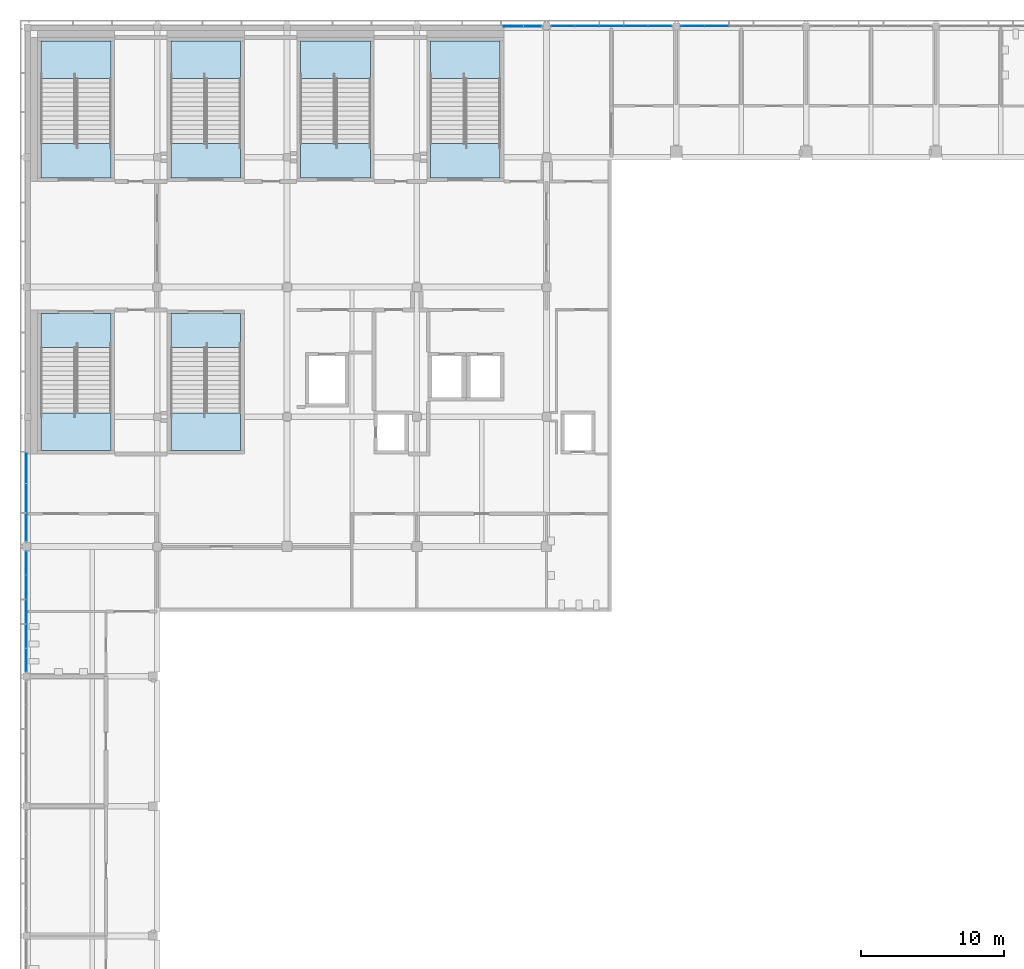
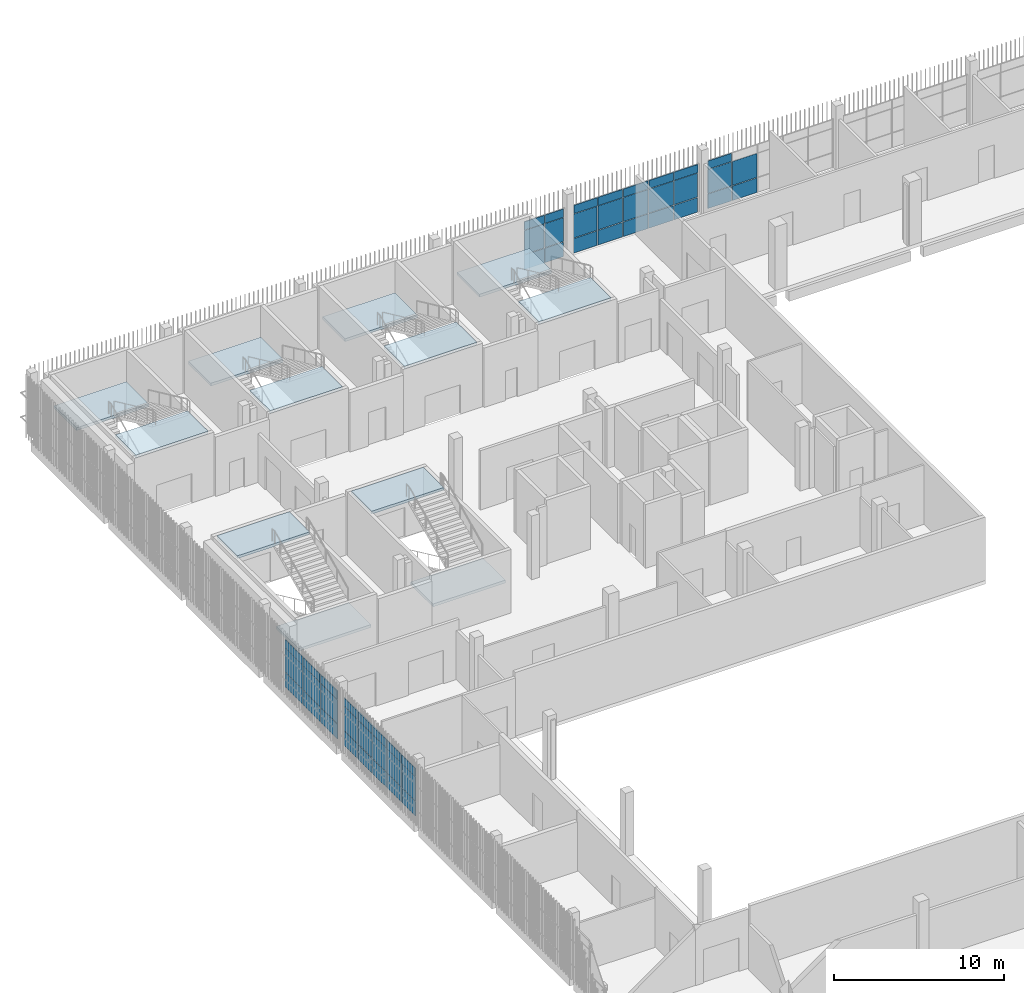
# One storey, part 61 of 124: 50 plates, 12 slabs, 11 elements without a shape of their own.
"""IFC4 building model written with IfcOpenShell, lengths in metres."""

from ifc_helpers import new_model, si_unit, direction, frame, origin, origin_2d, place, context, subcontext, project, spatial, polyline, rectangle, outline, extrude, material, layer, layer_set, type_object, element, aggregate, save


model = new_model("IFC4")

# Units and contexts
model_context = context("Model", 3, precision=1e-05, world=origin(), true_north=direction((0.0, 1.0)))
body_context = subcontext(model_context, "Body", "Model", "MODEL_VIEW")
ifc_project = project(units=[si_unit("LENGTHUNIT", "METRE"), si_unit("AREAUNIT", "SQUARE_METRE"), si_unit("VOLUMEUNIT", "CUBIC_METRE"), si_unit("PLANEANGLEUNIT", "RADIAN"), si_unit("MASSUNIT", "GRAM", prefix="KILO")], contexts=[model_context])

# Site, building, storey
site_placement = place(None, origin())
site = spatial("IfcSite", under=ifc_project, at=site_placement, CompositionType="ELEMENT")
building_placement = place(site_placement, origin())
building = spatial("IfcBuilding", under=site, at=building_placement, Name="Shirokan Park Arena", CompositionType="ELEMENT")
storey_placement = place(building_placement, frame((0.0, 0.0, 20.02001953125)))
storey = spatial("IfcBuildingStorey", under=building, at=storey_placement, Name="L04", CompositionType="ELEMENT", Elevation=20.02001953125)

# Curtain wall, plate
ifc_material_1 = material(Name="Steel and glass curtain wall", Category="steel")
ifc_layer_1 = layer(ifc_material_1, 0.10009765625)
ifc_layer_set_1 = layer_set([ifc_layer_1], Name="Steel and glass curtain wall 100 mm")
curtain_wall_type_1 = type_object("IfcCurtainWallType", Name="Curtain wall sheltered bay 100", PredefinedType="NOTDEFINED", material=ifc_layer_set_1)
curtain_wall_1_placement = place(storey_placement, origin())
curtain_wall_1 = element("IfcCurtainWall", 1, at=curtain_wall_1_placement, inside=storey, type_object=curtain_wall_type_1, Name="Curtain wall north bay 11 L04", PredefinedType="NOTDEFINED")
ifc_material_2 = material(Name="Aluminium sheet", Category="aluminium")
ifc_layer_2 = layer(ifc_material_2, 0.0029296875, Name="Aluminium sheet")
ifc_material_3 = material(Name="Mineral wool insulation")
ifc_layer_3 = layer(ifc_material_3, 0.053955078125, Name="Mineral wool insulation")
ifc_layer_4 = layer(ifc_material_2, 0.0029296875, Name="Aluminium sheet")
ifc_layer_set_2 = layer_set([ifc_layer_2, ifc_layer_3, ifc_layer_4], Name="Aluminium sheet + Mineral wool insulation")
plate_type_1 = type_object("IfcPlateType", Name="Insulated spandrel panel 60", PredefinedType="CURTAIN_PANEL", material=ifc_layer_set_2)
plate_1_placement = place(storey_placement, frame((46.6474609375, 109.300048828125, 2.8701171875), z_axis=(0.0, 0.0, 1.0), x_axis=(-1.0, 0.0, 0.0)))
plate_1 = element("IfcPlate", 2, at=plate_1_placement, type_object=plate_type_1, Name="CW2 panel 5.3", PredefinedType="CURTAIN_PANEL", context=body_context, shape_type="SweptSolid", body=[
    extrude(rectangle(XDim=1.594970703125, YDim=0.06005859375, at=origin_2d()), origin(), (0.0, 0.0, 1.0), 0.590087890625),
])

# Curtain wall, plates
curtain_wall_2_placement = place(storey_placement, origin())
curtain_wall_2 = element("IfcCurtainWall", 3, at=curtain_wall_2_placement, inside=storey, type_object=curtain_wall_type_1, Name="Curtain wall north bay 12 L04", PredefinedType="NOTDEFINED")
plate_2_placement = place(storey_placement, frame((44.3525390625, 109.300048828125, 2.8701171875), z_axis=(0.0, 0.0, 1.0), x_axis=(-1.0, 0.0, 0.0)))
plate_2 = element("IfcPlate", 4, at=plate_2_placement, type_object=plate_type_1, Name="CW2 panel 1.3", PredefinedType="CURTAIN_PANEL", context=body_context, shape_type="SweptSolid", body=[
    extrude(rectangle(XDim=1.594970703125, YDim=0.06005859375, at=origin_2d()), origin(), (0.0, 0.0, 1.0), 0.590087890625),
])
plate_3_placement = place(storey_placement, frame((42.669921875, 109.300048828125, 2.8701171875), z_axis=(0.0, 0.0, 1.0), x_axis=(-1.0, 0.0, 0.0)))
plate_3 = element("IfcPlate", 5, at=plate_3_placement, type_object=plate_type_1, Name="CW2 panel 2.3", PredefinedType="CURTAIN_PANEL", context=body_context, shape_type="SweptSolid", body=[
    extrude(rectangle(XDim=1.669921875, YDim=0.06005859375, at=origin_2d()), origin(), (0.0, 0.0, 1.0), 0.590087890625),
])
plate_4_placement = place(storey_placement, frame((40.949951171875, 109.300048828125, 2.8701171875), z_axis=(0.0, 0.0, 1.0), x_axis=(-1.0, 0.0, 0.0)))
plate_4 = element("IfcPlate", 6, at=plate_4_placement, type_object=plate_type_1, Name="CW2 panel 3.3", PredefinedType="CURTAIN_PANEL", context=body_context, shape_type="SweptSolid", body=[
    extrude(rectangle(XDim=1.669921875, YDim=0.06005859375, at=origin_2d()), origin(), (0.0, 0.0, 1.0), 0.590087890625),
])
plate_5_placement = place(storey_placement, frame((39.22998046875, 109.300048828125, 2.8701171875), z_axis=(0.0, 0.0, 1.0), x_axis=(-1.0, 0.0, 0.0)))
plate_5 = element("IfcPlate", 7, at=plate_5_placement, type_object=plate_type_1, Name="CW2 panel 4.3", PredefinedType="CURTAIN_PANEL", context=body_context, shape_type="SweptSolid", body=[
    extrude(rectangle(XDim=1.669921875, YDim=0.06005859375, at=origin_2d()), origin(), (0.0, 0.0, 1.0), 0.590087890625),
])
plate_6_placement = place(storey_placement, frame((37.547607421875, 109.300048828125, 2.8701171875), z_axis=(0.0, 0.0, 1.0), x_axis=(-1.0, 0.0, 0.0)))
plate_6 = element("IfcPlate", 8, at=plate_6_placement, type_object=plate_type_1, Name="CW2 panel 5.3", PredefinedType="CURTAIN_PANEL", context=body_context, shape_type="SweptSolid", body=[
    extrude(rectangle(XDim=1.594970703125, YDim=0.06005859375, at=origin_2d()), origin(), (0.0, 0.0, 1.0), 0.590087890625),
])

ifc_layer_5 = layer(ifc_material_1, 0.1201171875)
ifc_layer_set_3 = layer_set([ifc_layer_5], Name="Steel and glass curtain wall 120 mm")
curtain_wall_type_2 = type_object("IfcCurtainWallType", Name="Curtain wall corner block side bay 120", PredefinedType="NOTDEFINED", material=ifc_layer_set_3)
curtain_wall_3_placement = place(storey_placement, origin())
curtain_wall_3 = element("IfcCurtainWall", 9, at=curtain_wall_3_placement, inside=storey, type_object=curtain_wall_type_2, Name="Curtain wall north bay 13 L04", PredefinedType="NOTDEFINED")
plate_7_placement = place(storey_placement, frame((35.425048828125, 109.2900390625, 2.8701171875), z_axis=(0.0, 0.0, 1.0), x_axis=(-1.0, 0.0, 0.0)))
plate_7 = element("IfcPlate", 10, at=plate_7_placement, type_object=plate_type_1, Name="CW3 panel 1.3", PredefinedType="CURTAIN_PANEL", context=body_context, shape_type="SweptSolid", body=[
    extrude(rectangle(XDim=1.25, YDim=0.06005859375, at=origin_2d()), origin(), (0.0, 0.0, 1.0), 0.590087890625),
])
plate_8_placement = place(storey_placement, frame((34.074951171875, 109.2900390625, 2.8701171875), z_axis=(0.0, 0.0, 1.0), x_axis=(-1.0, 0.0, 0.0)))
plate_8 = element("IfcPlate", 11, at=plate_8_placement, type_object=plate_type_1, Name="CW3 panel 2.3", PredefinedType="CURTAIN_PANEL", context=body_context, shape_type="SweptSolid", body=[
    extrude(rectangle(XDim=1.35009765625, YDim=0.06005859375, at=origin_2d()), origin(), (0.0, 0.0, 1.0), 0.590087890625),
])

curtain_wall_4_placement = place(storey_placement, origin())
curtain_wall_4 = element("IfcCurtainWall", 12, at=curtain_wall_4_placement, inside=storey, type_object=curtain_wall_type_2, Name="Curtain wall west bay 4 L04", PredefinedType="NOTDEFINED")
plate_9_placement = place(storey_placement, frame((-0.090087890625, 78.27490234375, 2.8701171875), z_axis=(0.0, 0.0, 1.0), x_axis=(0.0, -1.0, 0.0)))
plate_9 = element("IfcPlate", 13, at=plate_9_placement, type_object=plate_type_1, Name="CW3 panel 1.3", PredefinedType="CURTAIN_PANEL", context=body_context, shape_type="SweptSolid", body=[
    extrude(rectangle(XDim=2.050048828125, YDim=0.06005859375, at=origin_2d()), origin(), (0.0, 0.0, 1.0), 0.590087890625),
])
plate_10_placement = place(storey_placement, frame((-0.090087890625, 76.1875, 2.8701171875), z_axis=(0.0, 0.0, 1.0), x_axis=(0.0, -1.0, 0.0)))
plate_10 = element("IfcPlate", 14, at=plate_10_placement, type_object=plate_type_1, Name="CW3 panel 2.3", PredefinedType="CURTAIN_PANEL", context=body_context, shape_type="SweptSolid", body=[
    extrude(rectangle(XDim=2.02490234375, YDim=0.06005859375, at=origin_2d()), origin(), (0.0, 0.0, 1.0), 0.590087890625),
])
plate_11_placement = place(storey_placement, frame((-0.090087890625, 74.14990234375, 2.8701171875), z_axis=(0.0, 0.0, 1.0), x_axis=(0.0, -1.0, 0.0)))
plate_11 = element("IfcPlate", 15, at=plate_11_placement, type_object=plate_type_1, Name="CW3 panel 3.3", PredefinedType="CURTAIN_PANEL", context=body_context, shape_type="SweptSolid", body=[
    extrude(rectangle(XDim=1.949951171875, YDim=0.06005859375, at=origin_2d()), origin(), (0.0, 0.0, 1.0), 0.590087890625),
])

ifc_layer_6 = layer(ifc_material_1, 0.14990234375)
ifc_layer_set_4 = layer_set([ifc_layer_6], Name="Steel and glass curtain wall 150 mm")
curtain_wall_type_3 = type_object("IfcCurtainWallType", Name="Curtain wall exposed bay 150", PredefinedType="NOTDEFINED", material=ifc_layer_set_4)
curtain_wall_5_placement = place(storey_placement, origin())
curtain_wall_5 = element("IfcCurtainWall", 16, at=curtain_wall_5_placement, inside=storey, type_object=curtain_wall_type_3, Name="Curtain wall west bay 5 L04", PredefinedType="NOTDEFINED")
plate_12_placement = place(storey_placement, frame((-0.074951171875, 71.6298828125, 2.8701171875), z_axis=(0.0, 0.0, 1.0), x_axis=(0.0, -1.0, 0.0)))
plate_12 = element("IfcPlate", 17, at=plate_12_placement, type_object=plate_type_1, Name="CW1 panel 1.3", PredefinedType="CURTAIN_PANEL", context=body_context, shape_type="SweptSolid", body=[
    extrude(rectangle(XDim=1.590087890625, YDim=0.06005859375, at=origin_2d()), origin(), (0.0, 0.0, 1.0), 0.590087890625),
])
plate_13_placement = place(storey_placement, frame((-0.074951171875, 69.952392578125, 2.8701171875), z_axis=(0.0, 0.0, 1.0), x_axis=(0.0, -1.0, 0.0)))
plate_13 = element("IfcPlate", 18, at=plate_13_placement, type_object=plate_type_1, Name="CW1 panel 2.3", PredefinedType="CURTAIN_PANEL", context=body_context, shape_type="SweptSolid", body=[
    extrude(rectangle(XDim=1.6650390625, YDim=0.06005859375, at=origin_2d()), origin(), (0.0, 0.0, 1.0), 0.590087890625),
])
plate_14_placement = place(storey_placement, frame((-0.074951171875, 68.237548828125, 2.8701171875), z_axis=(0.0, 0.0, 1.0), x_axis=(0.0, -1.0, 0.0)))
plate_14 = element("IfcPlate", 19, at=plate_14_placement, type_object=plate_type_1, Name="CW1 panel 3.3", PredefinedType="CURTAIN_PANEL", context=body_context, shape_type="SweptSolid", body=[
    extrude(rectangle(XDim=1.6650390625, YDim=0.06005859375, at=origin_2d()), origin(), (0.0, 0.0, 1.0), 0.590087890625),
])
plate_15_placement = place(storey_placement, frame((-0.074951171875, 66.5224609375, 2.8701171875), z_axis=(0.0, 0.0, 1.0), x_axis=(0.0, -1.0, 0.0)))
plate_15 = element("IfcPlate", 20, at=plate_15_placement, type_object=plate_type_1, Name="CW1 panel 4.3", PredefinedType="CURTAIN_PANEL", context=body_context, shape_type="SweptSolid", body=[
    extrude(rectangle(XDim=1.6650390625, YDim=0.06005859375, at=origin_2d()), origin(), (0.0, 0.0, 1.0), 0.590087890625),
])
plate_16_placement = place(storey_placement, frame((-0.074951171875, 64.844970703125, 2.8701171875), z_axis=(0.0, 0.0, 1.0), x_axis=(0.0, -1.0, 0.0)))
plate_16 = element("IfcPlate", 21, at=plate_16_placement, type_object=plate_type_1, Name="CW1 panel 5.3", PredefinedType="CURTAIN_PANEL", context=body_context, shape_type="SweptSolid", body=[
    extrude(rectangle(XDim=1.590087890625, YDim=0.06005859375, at=origin_2d()), origin(), (0.0, 0.0, 1.0), 0.590087890625),
])

# Plate
ifc_material_4 = material(Name="Toughened glass", Category="glass")
ifc_layer_7 = layer(ifc_material_4, 0.012939453125, Name="Toughened glass")
ifc_material_5 = material(Name="Interlayer film")
ifc_layer_8 = layer(ifc_material_5, 0.001953125, Name="Interlayer film")
ifc_layer_9 = layer(ifc_material_4, 0.012939453125, Name="Toughened glass")
ifc_layer_set_5 = layer_set([ifc_layer_7, ifc_layer_8, ifc_layer_9], Name="Toughened glass + Interlayer film")
plate_type_2 = type_object("IfcPlateType", Name="Laminated glass panel 28", PredefinedType="CURTAIN_PANEL", material=ifc_layer_set_5)
plate_17_placement = place(storey_placement, frame((48.330078125, 109.300048828125, 1.1201171875), z_axis=(0.0, 0.0, 1.0), x_axis=(-1.0, 0.0, 0.0)))
plate_17 = element("IfcPlate", 22, at=plate_17_placement, type_object=plate_type_2, Name="CW2 panel 4.2", PredefinedType="CURTAIN_PANEL", context=body_context, shape_type="SweptSolid", body=[
    extrude(rectangle(XDim=1.669921875, YDim=0.028076171875, at=origin_2d()), origin(), (0.0, 0.0, 1.0), 1.7099609375),
])

plate_18_placement = place(storey_placement, frame((46.6474609375, 109.300048828125, 1.1201171875), z_axis=(0.0, 0.0, 1.0), x_axis=(-1.0, 0.0, 0.0)))
plate_18 = element("IfcPlate", 23, at=plate_18_placement, type_object=plate_type_2, Name="CW2 panel 5.2", PredefinedType="CURTAIN_PANEL", context=body_context, shape_type="SweptSolid", body=[
    extrude(rectangle(XDim=1.594970703125, YDim=0.028076171875, at=origin_2d()), origin(), (0.0, 0.0, 1.0), 1.7099609375),
])

plate_19_placement = place(storey_placement, frame((44.3525390625, 109.300048828125, 1.1201171875), z_axis=(0.0, 0.0, 1.0), x_axis=(-1.0, 0.0, 0.0)))
plate_19 = element("IfcPlate", 24, at=plate_19_placement, type_object=plate_type_2, Name="CW2 panel 1.2", PredefinedType="CURTAIN_PANEL", context=body_context, shape_type="SweptSolid", body=[
    extrude(rectangle(XDim=1.594970703125, YDim=0.028076171875, at=origin_2d()), origin(), (0.0, 0.0, 1.0), 1.7099609375),
])

plate_20_placement = place(storey_placement, frame((42.669921875, 109.300048828125, 1.1201171875), z_axis=(0.0, 0.0, 1.0), x_axis=(-1.0, 0.0, 0.0)))
plate_20 = element("IfcPlate", 25, at=plate_20_placement, type_object=plate_type_2, Name="CW2 panel 2.2", PredefinedType="CURTAIN_PANEL", context=body_context, shape_type="SweptSolid", body=[
    extrude(rectangle(XDim=1.669921875, YDim=0.028076171875, at=origin_2d()), origin(), (0.0, 0.0, 1.0), 1.7099609375),
])

plate_21_placement = place(storey_placement, frame((40.949951171875, 109.300048828125, 1.1201171875), z_axis=(0.0, 0.0, 1.0), x_axis=(-1.0, 0.0, 0.0)))
plate_21 = element("IfcPlate", 26, at=plate_21_placement, type_object=plate_type_2, Name="CW2 panel 3.2", PredefinedType="CURTAIN_PANEL", context=body_context, shape_type="SweptSolid", body=[
    extrude(rectangle(XDim=1.669921875, YDim=0.028076171875, at=origin_2d()), origin(), (0.0, 0.0, 1.0), 1.7099609375),
])

plate_22_placement = place(storey_placement, frame((39.22998046875, 109.300048828125, 1.1201171875), z_axis=(0.0, 0.0, 1.0), x_axis=(-1.0, 0.0, 0.0)))
plate_22 = element("IfcPlate", 27, at=plate_22_placement, type_object=plate_type_2, Name="CW2 panel 4.2", PredefinedType="CURTAIN_PANEL", context=body_context, shape_type="SweptSolid", body=[
    extrude(rectangle(XDim=1.669921875, YDim=0.028076171875, at=origin_2d()), origin(), (0.0, 0.0, 1.0), 1.7099609375),
])

plate_23_placement = place(storey_placement, frame((37.547607421875, 109.300048828125, 1.1201171875), z_axis=(0.0, 0.0, 1.0), x_axis=(-1.0, 0.0, 0.0)))
plate_23 = element("IfcPlate", 28, at=plate_23_placement, type_object=plate_type_2, Name="CW2 panel 5.2", PredefinedType="CURTAIN_PANEL", context=body_context, shape_type="SweptSolid", body=[
    extrude(rectangle(XDim=1.594970703125, YDim=0.028076171875, at=origin_2d()), origin(), (0.0, 0.0, 1.0), 1.7099609375),
])

plate_24_placement = place(storey_placement, frame((35.425048828125, 109.2900390625, 1.1201171875), z_axis=(0.0, 0.0, 1.0), x_axis=(-1.0, 0.0, 0.0)))
plate_24 = element("IfcPlate", 29, at=plate_24_placement, type_object=plate_type_2, Name="CW3 panel 1.2", PredefinedType="CURTAIN_PANEL", context=body_context, shape_type="SweptSolid", body=[
    extrude(rectangle(XDim=1.25, YDim=0.028076171875, at=origin_2d()), origin(), (0.0, 0.0, 1.0), 1.7099609375),
])

plate_25_placement = place(storey_placement, frame((34.074951171875, 109.2900390625, 1.1201171875), z_axis=(0.0, 0.0, 1.0), x_axis=(-1.0, 0.0, 0.0)))
plate_25 = element("IfcPlate", 30, at=plate_25_placement, type_object=plate_type_2, Name="CW3 panel 2.2", PredefinedType="CURTAIN_PANEL", context=body_context, shape_type="SweptSolid", body=[
    extrude(rectangle(XDim=1.35009765625, YDim=0.028076171875, at=origin_2d()), origin(), (0.0, 0.0, 1.0), 1.7099609375),
])

plate_26_placement = place(storey_placement, frame((-0.090087890625, 78.27490234375, 1.1201171875), z_axis=(0.0, 0.0, 1.0), x_axis=(0.0, -1.0, 0.0)))
plate_26 = element("IfcPlate", 31, at=plate_26_placement, type_object=plate_type_2, Name="CW3 panel 1.2", PredefinedType="CURTAIN_PANEL", context=body_context, shape_type="SweptSolid", body=[
    extrude(rectangle(XDim=2.050048828125, YDim=0.028076171875, at=origin_2d()), origin(), (0.0, 0.0, 1.0), 1.7099609375),
])

plate_27_placement = place(storey_placement, frame((-0.090087890625, 76.1875, 1.1201171875), z_axis=(0.0, 0.0, 1.0), x_axis=(0.0, -1.0, 0.0)))
plate_27 = element("IfcPlate", 32, at=plate_27_placement, type_object=plate_type_2, Name="CW3 panel 2.2", PredefinedType="CURTAIN_PANEL", context=body_context, shape_type="SweptSolid", body=[
    extrude(rectangle(XDim=2.02490234375, YDim=0.028076171875, at=origin_2d()), origin(), (0.0, 0.0, 1.0), 1.7099609375),
])

plate_28_placement = place(storey_placement, frame((-0.090087890625, 74.14990234375, 1.1201171875), z_axis=(0.0, 0.0, 1.0), x_axis=(0.0, -1.0, 0.0)))
plate_28 = element("IfcPlate", 33, at=plate_28_placement, type_object=plate_type_2, Name="CW3 panel 3.2", PredefinedType="CURTAIN_PANEL", context=body_context, shape_type="SweptSolid", body=[
    extrude(rectangle(XDim=1.949951171875, YDim=0.028076171875, at=origin_2d()), origin(), (0.0, 0.0, 1.0), 1.7099609375),
])

plate_29_placement = place(storey_placement, frame((-0.074951171875, 71.6298828125, 1.1201171875), z_axis=(0.0, 0.0, 1.0), x_axis=(0.0, -1.0, 0.0)))
plate_29 = element("IfcPlate", 34, at=plate_29_placement, type_object=plate_type_2, Name="CW1 panel 1.2", PredefinedType="CURTAIN_PANEL", context=body_context, shape_type="SweptSolid", body=[
    extrude(rectangle(XDim=1.590087890625, YDim=0.028076171875, at=origin_2d()), origin(), (0.0, 0.0, 1.0), 1.7099609375),
])

plate_30_placement = place(storey_placement, frame((-0.074951171875, 69.952392578125, 1.1201171875), z_axis=(0.0, 0.0, 1.0), x_axis=(0.0, -1.0, 0.0)))
plate_30 = element("IfcPlate", 35, at=plate_30_placement, type_object=plate_type_2, Name="CW1 panel 2.2", PredefinedType="CURTAIN_PANEL", context=body_context, shape_type="SweptSolid", body=[
    extrude(rectangle(XDim=1.6650390625, YDim=0.028076171875, at=origin_2d()), origin(), (0.0, 0.0, 1.0), 1.7099609375),
])

plate_31_placement = place(storey_placement, frame((-0.074951171875, 68.237548828125, 1.1201171875), z_axis=(0.0, 0.0, 1.0), x_axis=(0.0, -1.0, 0.0)))
plate_31 = element("IfcPlate", 36, at=plate_31_placement, type_object=plate_type_2, Name="CW1 panel 3.2", PredefinedType="CURTAIN_PANEL", context=body_context, shape_type="SweptSolid", body=[
    extrude(rectangle(XDim=1.6650390625, YDim=0.028076171875, at=origin_2d()), origin(), (0.0, 0.0, 1.0), 1.7099609375),
])

plate_32_placement = place(storey_placement, frame((-0.074951171875, 66.5224609375, 1.1201171875), z_axis=(0.0, 0.0, 1.0), x_axis=(0.0, -1.0, 0.0)))
plate_32 = element("IfcPlate", 37, at=plate_32_placement, type_object=plate_type_2, Name="CW1 panel 4.2", PredefinedType="CURTAIN_PANEL", context=body_context, shape_type="SweptSolid", body=[
    extrude(rectangle(XDim=1.6650390625, YDim=0.028076171875, at=origin_2d()), origin(), (0.0, 0.0, 1.0), 1.7099609375),
])

plate_33_placement = place(storey_placement, frame((-0.074951171875, 64.844970703125, 1.1201171875), z_axis=(0.0, 0.0, 1.0), x_axis=(0.0, -1.0, 0.0)))
plate_33 = element("IfcPlate", 38, at=plate_33_placement, type_object=plate_type_2, Name="CW1 panel 5.2", PredefinedType="CURTAIN_PANEL", context=body_context, shape_type="SweptSolid", body=[
    extrude(rectangle(XDim=1.590087890625, YDim=0.028076171875, at=origin_2d()), origin(), (0.0, 0.0, 1.0), 1.7099609375),
])

ifc_layer_10 = layer(ifc_material_4, 0.01708984375, Name="Toughened glass")
ifc_layer_11 = layer(ifc_material_5, 0.001953125, Name="Interlayer film")
ifc_layer_12 = layer(ifc_material_4, 0.01708984375, Name="Toughened glass")
ifc_layer_set_6 = layer_set([ifc_layer_10, ifc_layer_11, ifc_layer_12], Name="Toughened glass + Interlayer film")
plate_type_3 = type_object("IfcPlateType", Name="Laminated safety glass panel 36", PredefinedType="CURTAIN_PANEL", material=ifc_layer_set_6)
plate_34_placement = place(storey_placement, frame((48.330078125, 109.300048828125, 0.0400390625), z_axis=(0.0, 0.0, 1.0), x_axis=(-1.0, 0.0, 0.0)))
plate_34 = element("IfcPlate", 39, at=plate_34_placement, type_object=plate_type_3, Name="CW2 panel 4.1", PredefinedType="CURTAIN_PANEL", context=body_context, shape_type="SweptSolid", body=[
    extrude(rectangle(XDim=1.669921875, YDim=0.035888671875, at=origin_2d()), origin(), (0.0, 0.0, 1.0), 1.0400390625),
])

plate_35_placement = place(storey_placement, frame((46.6474609375, 109.300048828125, 0.0400390625), z_axis=(0.0, 0.0, 1.0), x_axis=(-1.0, 0.0, 0.0)))
plate_35 = element("IfcPlate", 40, at=plate_35_placement, type_object=plate_type_3, Name="CW2 panel 5.1", PredefinedType="CURTAIN_PANEL", context=body_context, shape_type="SweptSolid", body=[
    extrude(rectangle(XDim=1.594970703125, YDim=0.035888671875, at=origin_2d()), origin(), (0.0, 0.0, 1.0), 1.0400390625),
])

aggregate(curtain_wall_1, [plate_34, plate_17, plate_35, plate_18, plate_1])

plate_36_placement = place(storey_placement, frame((44.3525390625, 109.300048828125, 0.0400390625), z_axis=(0.0, 0.0, 1.0), x_axis=(-1.0, 0.0, 0.0)))
plate_36 = element("IfcPlate", 41, at=plate_36_placement, type_object=plate_type_3, Name="CW2 panel 1.1", PredefinedType="CURTAIN_PANEL", context=body_context, shape_type="SweptSolid", body=[
    extrude(rectangle(XDim=1.594970703125, YDim=0.035888671875, at=origin_2d()), origin(), (0.0, 0.0, 1.0), 1.0400390625),
])

plate_37_placement = place(storey_placement, frame((42.669921875, 109.300048828125, 0.0400390625), z_axis=(0.0, 0.0, 1.0), x_axis=(-1.0, 0.0, 0.0)))
plate_37 = element("IfcPlate", 42, at=plate_37_placement, type_object=plate_type_3, Name="CW2 panel 2.1", PredefinedType="CURTAIN_PANEL", context=body_context, shape_type="SweptSolid", body=[
    extrude(rectangle(XDim=1.669921875, YDim=0.035888671875, at=origin_2d()), origin(), (0.0, 0.0, 1.0), 1.0400390625),
])

plate_38_placement = place(storey_placement, frame((40.949951171875, 109.300048828125, 0.0400390625), z_axis=(0.0, 0.0, 1.0), x_axis=(-1.0, 0.0, 0.0)))
plate_38 = element("IfcPlate", 43, at=plate_38_placement, type_object=plate_type_3, Name="CW2 panel 3.1", PredefinedType="CURTAIN_PANEL", context=body_context, shape_type="SweptSolid", body=[
    extrude(rectangle(XDim=1.669921875, YDim=0.035888671875, at=origin_2d()), origin(), (0.0, 0.0, 1.0), 1.0400390625),
])

plate_39_placement = place(storey_placement, frame((39.22998046875, 109.300048828125, 0.0400390625), z_axis=(0.0, 0.0, 1.0), x_axis=(-1.0, 0.0, 0.0)))
plate_39 = element("IfcPlate", 44, at=plate_39_placement, type_object=plate_type_3, Name="CW2 panel 4.1", PredefinedType="CURTAIN_PANEL", context=body_context, shape_type="SweptSolid", body=[
    extrude(rectangle(XDim=1.669921875, YDim=0.035888671875, at=origin_2d()), origin(), (0.0, 0.0, 1.0), 1.0400390625),
])

plate_40_placement = place(storey_placement, frame((37.547607421875, 109.300048828125, 0.0400390625), z_axis=(0.0, 0.0, 1.0), x_axis=(-1.0, 0.0, 0.0)))
plate_40 = element("IfcPlate", 45, at=plate_40_placement, type_object=plate_type_3, Name="CW2 panel 5.1", PredefinedType="CURTAIN_PANEL", context=body_context, shape_type="SweptSolid", body=[
    extrude(rectangle(XDim=1.594970703125, YDim=0.035888671875, at=origin_2d()), origin(), (0.0, 0.0, 1.0), 1.0400390625),
])

aggregate(curtain_wall_2, [plate_36, plate_19, plate_2, plate_37, plate_20, plate_3, plate_38, plate_21, plate_4, plate_39, plate_22, plate_5, plate_40, plate_23, plate_6])

plate_41_placement = place(storey_placement, frame((35.425048828125, 109.2900390625, 0.0400390625), z_axis=(0.0, 0.0, 1.0), x_axis=(-1.0, 0.0, 0.0)))
plate_41 = element("IfcPlate", 46, at=plate_41_placement, type_object=plate_type_3, Name="CW3 panel 1.1", PredefinedType="CURTAIN_PANEL", context=body_context, shape_type="SweptSolid", body=[
    extrude(rectangle(XDim=1.25, YDim=0.035888671875, at=origin_2d()), origin(), (0.0, 0.0, 1.0), 1.0400390625),
])

plate_42_placement = place(storey_placement, frame((34.074951171875, 109.2900390625, 0.0400390625), z_axis=(0.0, 0.0, 1.0), x_axis=(-1.0, 0.0, 0.0)))
plate_42 = element("IfcPlate", 47, at=plate_42_placement, type_object=plate_type_3, Name="CW3 panel 2.1", PredefinedType="CURTAIN_PANEL", context=body_context, shape_type="SweptSolid", body=[
    extrude(rectangle(XDim=1.35009765625, YDim=0.035888671875, at=origin_2d()), origin(), (0.0, 0.0, 1.0), 1.0400390625),
])

aggregate(curtain_wall_3, [plate_41, plate_24, plate_7, plate_42, plate_25, plate_8])

plate_43_placement = place(storey_placement, frame((-0.090087890625, 78.27490234375, 0.0400390625), z_axis=(0.0, 0.0, 1.0), x_axis=(0.0, -1.0, 0.0)))
plate_43 = element("IfcPlate", 48, at=plate_43_placement, type_object=plate_type_3, Name="CW3 panel 1.1", PredefinedType="CURTAIN_PANEL", context=body_context, shape_type="SweptSolid", body=[
    extrude(rectangle(XDim=2.050048828125, YDim=0.035888671875, at=origin_2d()), origin(), (0.0, 0.0, 1.0), 1.0400390625),
])

plate_44_placement = place(storey_placement, frame((-0.090087890625, 76.1875, 0.0400390625), z_axis=(0.0, 0.0, 1.0), x_axis=(0.0, -1.0, 0.0)))
plate_44 = element("IfcPlate", 49, at=plate_44_placement, type_object=plate_type_3, Name="CW3 panel 2.1", PredefinedType="CURTAIN_PANEL", context=body_context, shape_type="SweptSolid", body=[
    extrude(rectangle(XDim=2.02490234375, YDim=0.035888671875, at=origin_2d()), origin(), (0.0, 0.0, 1.0), 1.0400390625),
])

plate_45_placement = place(storey_placement, frame((-0.090087890625, 74.14990234375, 0.0400390625), z_axis=(0.0, 0.0, 1.0), x_axis=(0.0, -1.0, 0.0)))
plate_45 = element("IfcPlate", 50, at=plate_45_placement, type_object=plate_type_3, Name="CW3 panel 3.1", PredefinedType="CURTAIN_PANEL", context=body_context, shape_type="SweptSolid", body=[
    extrude(rectangle(XDim=1.949951171875, YDim=0.035888671875, at=origin_2d()), origin(), (0.0, 0.0, 1.0), 1.0400390625),
])

aggregate(curtain_wall_4, [plate_43, plate_26, plate_9, plate_44, plate_27, plate_10, plate_45, plate_28, plate_11])

plate_46_placement = place(storey_placement, frame((-0.074951171875, 71.6298828125, 0.0400390625), z_axis=(0.0, 0.0, 1.0), x_axis=(0.0, -1.0, 0.0)))
plate_46 = element("IfcPlate", 51, at=plate_46_placement, type_object=plate_type_3, Name="CW1 panel 1.1", PredefinedType="CURTAIN_PANEL", context=body_context, shape_type="SweptSolid", body=[
    extrude(rectangle(XDim=1.590087890625, YDim=0.035888671875, at=origin_2d()), origin(), (0.0, 0.0, 1.0), 1.0400390625),
])

plate_47_placement = place(storey_placement, frame((-0.074951171875, 69.952392578125, 0.0400390625), z_axis=(0.0, 0.0, 1.0), x_axis=(0.0, -1.0, 0.0)))
plate_47 = element("IfcPlate", 52, at=plate_47_placement, type_object=plate_type_3, Name="CW1 panel 2.1", PredefinedType="CURTAIN_PANEL", context=body_context, shape_type="SweptSolid", body=[
    extrude(rectangle(XDim=1.6650390625, YDim=0.035888671875, at=origin_2d()), origin(), (0.0, 0.0, 1.0), 1.0400390625),
])

plate_48_placement = place(storey_placement, frame((-0.074951171875, 68.237548828125, 0.0400390625), z_axis=(0.0, 0.0, 1.0), x_axis=(0.0, -1.0, 0.0)))
plate_48 = element("IfcPlate", 53, at=plate_48_placement, type_object=plate_type_3, Name="CW1 panel 3.1", PredefinedType="CURTAIN_PANEL", context=body_context, shape_type="SweptSolid", body=[
    extrude(rectangle(XDim=1.6650390625, YDim=0.035888671875, at=origin_2d()), origin(), (0.0, 0.0, 1.0), 1.0400390625),
])

plate_49_placement = place(storey_placement, frame((-0.074951171875, 66.5224609375, 0.0400390625), z_axis=(0.0, 0.0, 1.0), x_axis=(0.0, -1.0, 0.0)))
plate_49 = element("IfcPlate", 54, at=plate_49_placement, type_object=plate_type_3, Name="CW1 panel 4.1", PredefinedType="CURTAIN_PANEL", context=body_context, shape_type="SweptSolid", body=[
    extrude(rectangle(XDim=1.6650390625, YDim=0.035888671875, at=origin_2d()), origin(), (0.0, 0.0, 1.0), 1.0400390625),
])

plate_50_placement = place(storey_placement, frame((-0.074951171875, 64.844970703125, 0.0400390625), z_axis=(0.0, 0.0, 1.0), x_axis=(0.0, -1.0, 0.0)))
plate_50 = element("IfcPlate", 55, at=plate_50_placement, type_object=plate_type_3, Name="CW1 panel 5.1", PredefinedType="CURTAIN_PANEL", context=body_context, shape_type="SweptSolid", body=[
    extrude(rectangle(XDim=1.590087890625, YDim=0.035888671875, at=origin_2d()), origin(), (0.0, 0.0, 1.0), 1.0400390625),
])

aggregate(curtain_wall_5, [plate_46, plate_29, plate_12, plate_47, plate_30, plate_13, plate_48, plate_31, plate_14, plate_49, plate_32, plate_15, plate_50, plate_33, plate_16])

# Stair, slabs
ifc_material_6 = material(Name="Concrete C30 precast", Category="concrete")
stair_type = type_object("IfcStairType", Name="Stair 30 risers 152 x 327 2400 wide", PredefinedType="TWO_STRAIGHT_RUN_STAIR", material=ifc_material_6)
stair_1_placement = place(storey_placement, origin())
stair_1 = element("IfcStair", 56, at=stair_1_placement, inside=storey, type_object=stair_type, Name="Exit Stair 4.A L04 to L05", PredefinedType="TWO_STRAIGHT_RUN_STAIR")
ifc_layer_13 = layer(ifc_material_6, 0.199951171875)
ifc_layer_set_7 = layer_set([ifc_layer_13], Name="Concrete C30 precast 200 mm")
slab_type = type_object("IfcSlabType", Name="Stair landing 200", PredefinedType="LANDING", material=ifc_layer_set_7)
slab_1_placement = place(storey_placement, frame((0.0, 0.0, 2.074951171875)))
slab_1 = element("IfcSlab", 57, at=slab_1_placement, type_object=slab_type, Name="ST10.5 landing 1", PredefinedType="LANDING", context=body_context, shape_type="SweptSolid", body=[
    extrude(outline(polyline([(0.949951171875, 105.623779296875), (5.85009765625, 105.623779296875), (5.85009765625, 108.25), (0.949951171875, 108.25), (0.949951171875, 105.623779296875)])), origin(), (0.0, 0.0, 1.0), 0.199951171875),
])
slab_2_placement = place(storey_placement, frame((0.0, 0.0, 4.35009765625)))
slab_2 = element("IfcSlab", 58, at=slab_2_placement, type_object=slab_type, Name="ST10.5 landing 2", PredefinedType="LANDING", context=body_context, shape_type="SweptSolid", body=[
    extrude(outline(polyline([(0.949951171875, 98.64990234375), (5.85009765625, 98.64990234375), (5.85009765625, 101.050048828125), (0.949951171875, 101.050048828125), (0.949951171875, 98.64990234375)])), origin(), (0.0, 0.0, 1.0), 0.199951171875),
])
aggregate(stair_1, [slab_1, slab_2])

stair_2_placement = place(storey_placement, origin())
stair_2 = element("IfcStair", 59, at=stair_2_placement, inside=storey, type_object=stair_type, Name="Exit Stair 4.B L04 to L05", PredefinedType="TWO_STRAIGHT_RUN_STAIR")
slab_3_placement = place(storey_placement, frame((0.0, 0.0, 2.074951171875)))
slab_3 = element("IfcSlab", 60, at=slab_3_placement, type_object=slab_type, Name="ST11.5 landing 1", PredefinedType="LANDING", context=body_context, shape_type="SweptSolid", body=[
    extrude(outline(polyline([(10.050048828125, 105.623779296875), (14.949951171875, 105.623779296875), (14.949951171875, 108.25), (10.050048828125, 108.25), (10.050048828125, 105.623779296875)])), origin(), (0.0, 0.0, 1.0), 0.199951171875),
])
slab_4_placement = place(storey_placement, frame((0.0, 0.0, 4.35009765625)))
slab_4 = element("IfcSlab", 61, at=slab_4_placement, type_object=slab_type, Name="ST11.5 landing 2", PredefinedType="LANDING", context=body_context, shape_type="SweptSolid", body=[
    extrude(outline(polyline([(10.050048828125, 98.64990234375), (14.949951171875, 98.64990234375), (14.949951171875, 101.050048828125), (10.050048828125, 101.050048828125), (10.050048828125, 98.64990234375)])), origin(), (0.0, 0.0, 1.0), 0.199951171875),
])
aggregate(stair_2, [slab_3, slab_4])

stair_3_placement = place(storey_placement, origin())
stair_3 = element("IfcStair", 62, at=stair_3_placement, inside=storey, type_object=stair_type, Name="Exit Stair 4.C L04 to L05", PredefinedType="TWO_STRAIGHT_RUN_STAIR")
slab_5_placement = place(storey_placement, frame((0.0, 0.0, 2.074951171875)))
slab_5 = element("IfcSlab", 63, at=slab_5_placement, type_object=slab_type, Name="ST12.5 landing 1", PredefinedType="LANDING", context=body_context, shape_type="SweptSolid", body=[
    extrude(outline(polyline([(19.14990234375, 105.623779296875), (24.050048828125, 105.623779296875), (24.050048828125, 108.25), (19.14990234375, 108.25), (19.14990234375, 105.623779296875)])), origin(), (0.0, 0.0, 1.0), 0.199951171875),
])
slab_6_placement = place(storey_placement, frame((0.0, 0.0, 4.35009765625)))
slab_6 = element("IfcSlab", 64, at=slab_6_placement, type_object=slab_type, Name="ST12.5 landing 2", PredefinedType="LANDING", context=body_context, shape_type="SweptSolid", body=[
    extrude(outline(polyline([(19.14990234375, 98.64990234375), (24.050048828125, 98.64990234375), (24.050048828125, 101.050048828125), (19.14990234375, 101.050048828125), (19.14990234375, 98.64990234375)])), origin(), (0.0, 0.0, 1.0), 0.199951171875),
])
aggregate(stair_3, [slab_5, slab_6])

stair_4_placement = place(storey_placement, origin())
stair_4 = element("IfcStair", 65, at=stair_4_placement, inside=storey, type_object=stair_type, Name="Exit Stair 4.D L04 to L05", PredefinedType="TWO_STRAIGHT_RUN_STAIR")
slab_7_placement = place(storey_placement, frame((0.0, 0.0, 2.074951171875)))
slab_7 = element("IfcSlab", 66, at=slab_7_placement, type_object=slab_type, Name="ST13.5 landing 1", PredefinedType="LANDING", context=body_context, shape_type="SweptSolid", body=[
    extrude(outline(polyline([(28.25, 105.623779296875), (33.14990234375, 105.623779296875), (33.14990234375, 108.25), (28.25, 108.25), (28.25, 105.623779296875)])), origin(), (0.0, 0.0, 1.0), 0.199951171875),
])
slab_8_placement = place(storey_placement, frame((0.0, 0.0, 4.35009765625)))
slab_8 = element("IfcSlab", 67, at=slab_8_placement, type_object=slab_type, Name="ST13.5 landing 2", PredefinedType="LANDING", context=body_context, shape_type="SweptSolid", body=[
    extrude(outline(polyline([(28.25, 98.64990234375), (33.14990234375, 98.64990234375), (33.14990234375, 101.050048828125), (28.25, 101.050048828125), (28.25, 98.64990234375)])), origin(), (0.0, 0.0, 1.0), 0.199951171875),
])
aggregate(stair_4, [slab_7, slab_8])

stair_5_placement = place(storey_placement, origin())
stair_5 = element("IfcStair", 68, at=stair_5_placement, inside=storey, type_object=stair_type, Name="Exit Stair 4.E L04 to L05", PredefinedType="TWO_STRAIGHT_RUN_STAIR")
slab_9_placement = place(storey_placement, frame((0.0, 0.0, 2.074951171875)))
slab_9 = element("IfcSlab", 69, at=slab_9_placement, type_object=slab_type, Name="ST14.5 landing 1", PredefinedType="LANDING", context=body_context, shape_type="SweptSolid", body=[
    extrude(outline(polyline([(0.949951171875, 79.550048828125), (5.85009765625, 79.550048828125), (5.85009765625, 82.17626953125), (0.949951171875, 82.17626953125), (0.949951171875, 79.550048828125)])), origin(), (0.0, 0.0, 1.0), 0.199951171875),
])
slab_10_placement = place(storey_placement, frame((0.0, 0.0, 4.35009765625)))
slab_10 = element("IfcSlab", 70, at=slab_10_placement, type_object=slab_type, Name="ST14.5 landing 2", PredefinedType="LANDING", context=body_context, shape_type="SweptSolid", body=[
    extrude(outline(polyline([(0.949951171875, 86.75), (5.85009765625, 86.75), (5.85009765625, 89.14990234375), (0.949951171875, 89.14990234375), (0.949951171875, 86.75)])), origin(), (0.0, 0.0, 1.0), 0.199951171875),
])
aggregate(stair_5, [slab_9, slab_10])

stair_6_placement = place(storey_placement, origin())
stair_6 = element("IfcStair", 71, at=stair_6_placement, inside=storey, type_object=stair_type, Name="Exit Stair 4.F L04 to L05", PredefinedType="TWO_STRAIGHT_RUN_STAIR")
slab_11_placement = place(storey_placement, frame((0.0, 0.0, 2.074951171875)))
slab_11 = element("IfcSlab", 72, at=slab_11_placement, type_object=slab_type, Name="ST15.5 landing 1", PredefinedType="LANDING", context=body_context, shape_type="SweptSolid", body=[
    extrude(outline(polyline([(10.050048828125, 79.550048828125), (14.949951171875, 79.550048828125), (14.949951171875, 82.17626953125), (10.050048828125, 82.17626953125), (10.050048828125, 79.550048828125)])), origin(), (0.0, 0.0, 1.0), 0.199951171875),
])
slab_12_placement = place(storey_placement, frame((0.0, 0.0, 4.35009765625)))
slab_12 = element("IfcSlab", 73, at=slab_12_placement, type_object=slab_type, Name="ST15.5 landing 2", PredefinedType="LANDING", context=body_context, shape_type="SweptSolid", body=[
    extrude(outline(polyline([(10.050048828125, 86.75), (14.949951171875, 86.75), (14.949951171875, 89.14990234375), (10.050048828125, 89.14990234375), (10.050048828125, 86.75)])), origin(), (0.0, 0.0, 1.0), 0.199951171875),
])
aggregate(stair_6, [slab_11, slab_12])

save(model, "model.ifc")
